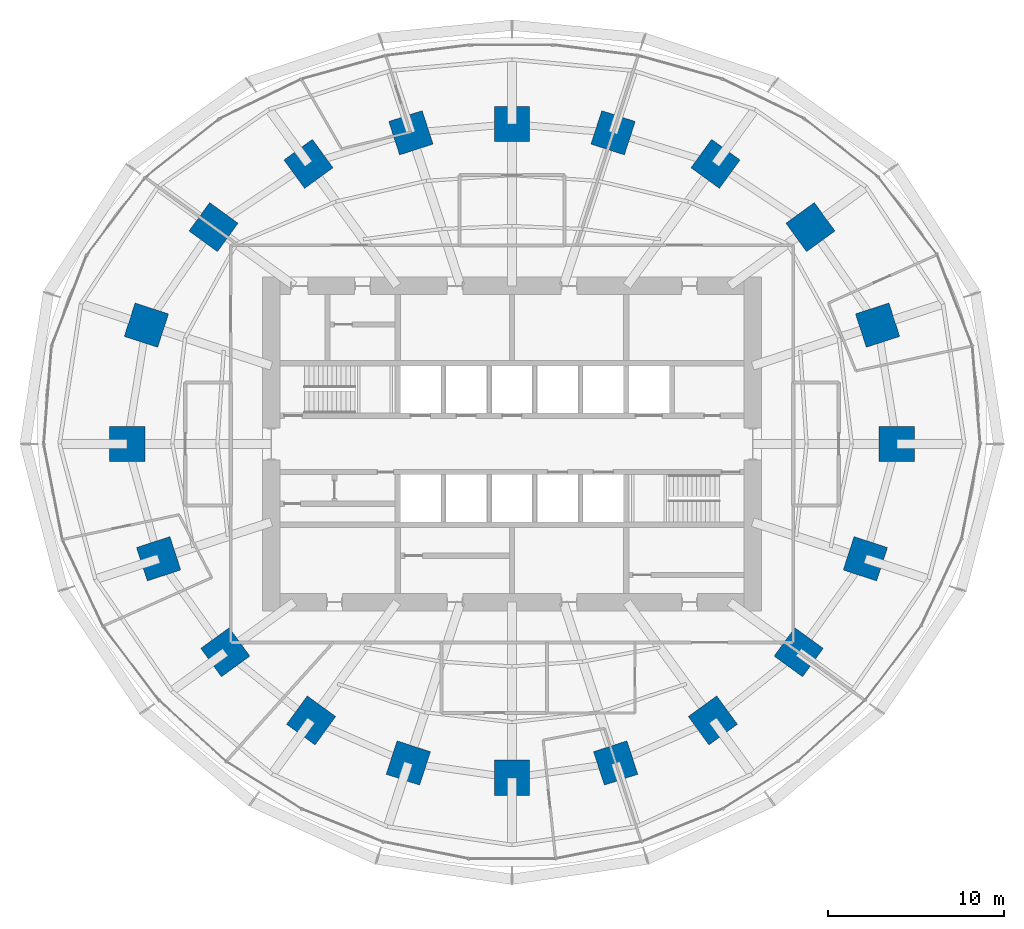
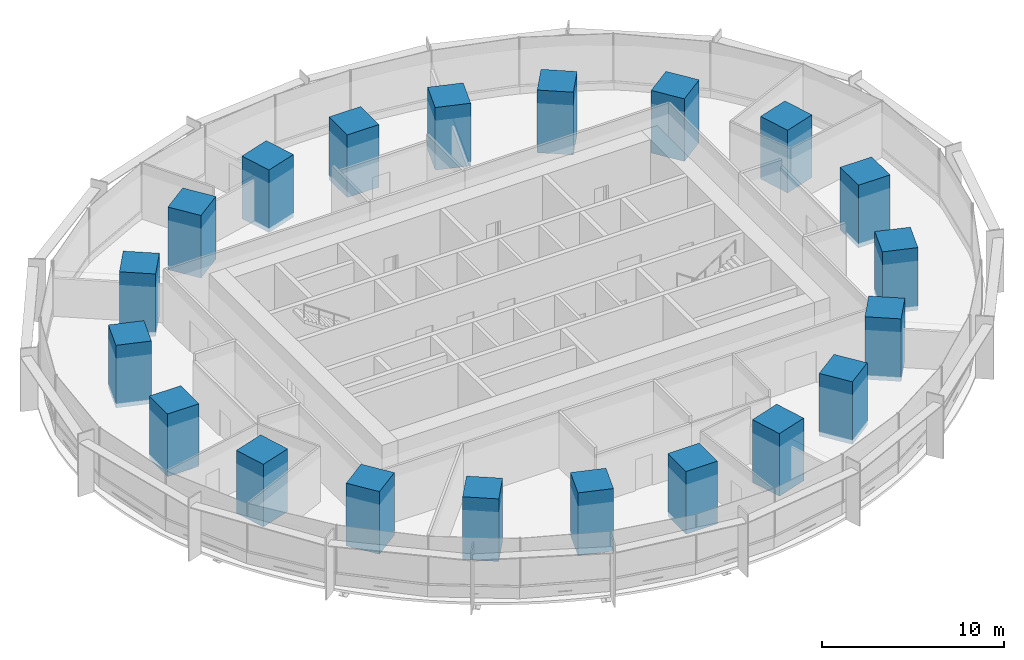
# One storey, part 1 of 15: 20 columns.
"""IFC4 building model written with IfcOpenShell, lengths in metres."""

from ifc_helpers import new_model, si_unit, direction, frame, origin, origin_2d, place, context, subcontext, project, spatial, rectangle, extrude, material, material_profile, profile_set, type_object, element, save


model = new_model("IFC4")

# Units and contexts
model_context = context("Model", 3, precision=1e-05, world=origin(), true_north=direction((0.0, 1.0)))
body_context = subcontext(model_context, "Body", "Model", "MODEL_VIEW")
ifc_project = project(units=[si_unit("LENGTHUNIT", "METRE"), si_unit("AREAUNIT", "SQUARE_METRE"), si_unit("VOLUMEUNIT", "CUBIC_METRE"), si_unit("PLANEANGLEUNIT", "RADIAN"), si_unit("MASSUNIT", "GRAM", prefix="KILO")], contexts=[model_context])

# Site, building, storey
site_placement = place(None, origin())
site = spatial("IfcSite", under=ifc_project, at=site_placement, CompositionType="ELEMENT")
building_placement = place(site_placement, origin())
building = spatial("IfcBuilding", under=site, at=building_placement, Name="Marramba Exchange Tower", CompositionType="ELEMENT")
storey_placement = place(building_placement, frame((0.0, 0.0, 65.800048828125)))
storey = spatial("IfcBuildingStorey", under=building, at=storey_placement, Name="L15", CompositionType="ELEMENT", Elevation=65.800048828125)

# Columns
ifc_material = material(Name="Concrete N50", Category="concrete")
ifc_material_profile = material_profile(ifc_material, rectangle(XDim=2.0, YDim=2.0, at=origin_2d()), Name="RC 2000x2000")
ifc_profile_set = profile_set([ifc_material_profile], Name="Concrete N50")
column_type = type_object("IfcColumnType", Name="Perimeter column RC 2000x2000 N50", PredefinedType="COLUMN", material=ifc_profile_set)
for number, where, z_axis, x_axis, name in (
    (1, (21.89990234375, 0.0, 0.0), (0.0, 0.0, 1.0), (1.0, 0.0, 0.0), "Column TC01 L15"),
    (2, (20.808349609375, 6.760986328125, 0.0), (0.0, 0.0, 1.0), (0.951056516295, 0.309016994375, 0.0), "Column TC02 L15"),
    (3, (16.98583984375, 12.3408203125, 0.0), (0.0, 0.0, 1.0), (0.809016994375, 0.587785252292, 0.0), "Column TC03 L15"),
    (4, (11.581298828125, 15.9404296875, 0.0), (0.0, 0.0, 1.0), (0.587785252292, 0.809016994375, 0.0), "Column TC04 L15"),
    (5, (5.75390625, 17.70849609375, 0.0), (0.0, 0.0, 1.0), (0.309016994375, 0.951056516295, 0.0), "Column TC05 L15"),
    (6, (0.0, 18.2041015625, 0.0), (0.0, 0.0, 1.0), (0.0, 1.0, 0.0), "Column TC06 L15"),
    (7, (-5.75390625, 17.70849609375, 0.0), (0.0, 0.0, 1.0), (-0.309016994375, 0.951056516295, 0.0), "Column TC07 L15"),
    (8, (-11.581298828125, 15.9404296875, 0.0), (0.0, 0.0, 1.0), (-0.587785252292, 0.809016994375, 0.0), "Column TC08 L15"),
    (9, (-16.98583984375, 12.3408203125, 0.0), (0.0, 0.0, 1.0), (-0.809016994375, 0.587785252292, 0.0), "Column TC09 L15"),
    (10, (-20.808349609375, 6.760986328125, 0.0), (0.0, 0.0, 1.0), (-0.951056516295, 0.309016994375, 0.0), "Column TC10 L15"),
    (11, (-21.89990234375, 0.0, 0.0), (0.0, 0.0, 1.0), (-1.0, 0.0, 0.0), "Column TC11 L15"),
    (12, (-20.109375, -6.533935546875, 0.0), (0.0, 0.0, 1.0), (-0.951056516295, -0.309016994375, 0.0), "Column TC12 L15"),
    (13, (-16.3154296875, -11.853759765625, 0.0), (0.0, 0.0, 1.0), (-0.809016994375, -0.587785252292, 0.0), "Column TC13 L15"),
    (14, (-11.430419921875, -15.732666015625, 0.0), (0.0, 0.0, 1.0), (-0.587785252292, -0.809016994375, 0.0), "Column TC14 L15"),
    (15, (-5.899658203125, -18.156982421875, 0.0), (0.0, 0.0, 1.0), (-0.309016994375, -0.951056516295, 0.0), "Column TC15 L15"),
    (16, (0.0, -18.99609375, 0.0), (0.0, 0.0, 1.0), (0.0, -1.0, 0.0), "Column TC16 L15"),
    (17, (5.899658203125, -18.156982421875, 0.0), (0.0, 0.0, 1.0), (0.309016994375, -0.951056516295, 0.0), "Column TC17 L15"),
    (18, (11.430419921875, -15.732666015625, 0.0), (0.0, 0.0, 1.0), (0.587785252292, -0.809016994375, 0.0), "Column TC18 L15"),
    (19, (16.3154296875, -11.853759765625, 0.0), (0.0, 0.0, 1.0), (0.809016994375, -0.587785252292, 0.0), "Column TC19 L15"),
    (20, (20.109375, -6.533935546875, 0.0), (0.0, 0.0, 1.0), (0.951056516295, -0.309016994375, 0.0), "Column TC20 L15"),
):
    element("IfcColumn", number, at=place(storey_placement, frame(where, z_axis=z_axis, x_axis=x_axis)), inside=storey, type_object=column_type, Name=name, PredefinedType="COLUMN", context=body_context, shape_type="SweptSolid", body=[
        extrude(rectangle(XDim=2.0, YDim=2.0, at=origin_2d()), origin(), (0.0, 0.0, 1.0), 4.199951171875),
    ])

save(model, "model.ifc")
